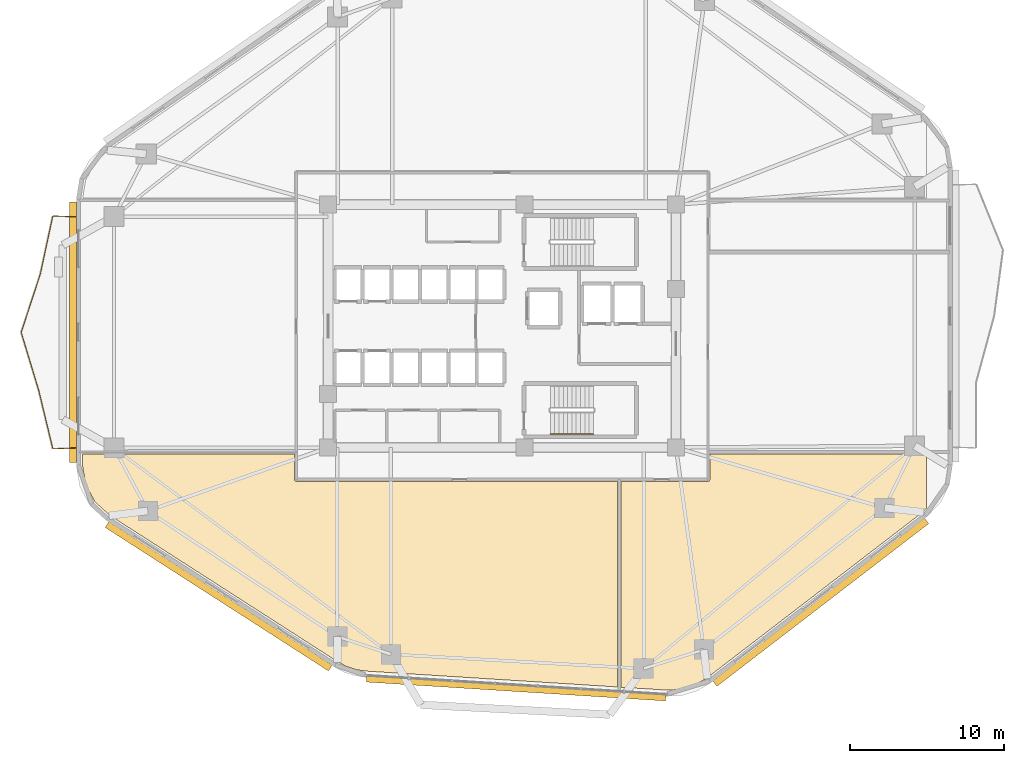
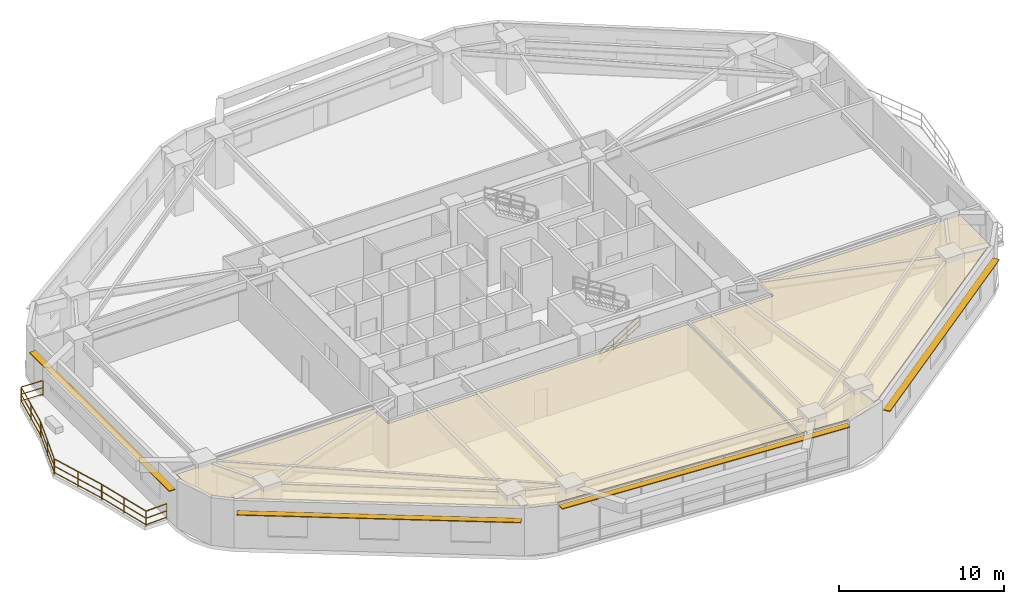
# One storey, part 11 of 13: 7 railings, 4 shading devices, 2 coverings.
"""IFC4 building model written with IfcOpenShell, lengths in metres."""

from ifc_helpers import new_model, si_unit, direction, frame, origin, origin_2d, place, context, subcontext, project, spatial, polyline, rectangle, outline, extrude, material, layer, layer_set, type_object, element, save


model = new_model("IFC4")

# Units and contexts
model_context = context("Model", 3, precision=1e-05, world=origin(), true_north=direction((0.0, 1.0)))
body_context = subcontext(model_context, "Body", "Model", "MODEL_VIEW")
ifc_project = project(units=[si_unit("LENGTHUNIT", "METRE"), si_unit("AREAUNIT", "SQUARE_METRE"), si_unit("VOLUMEUNIT", "CUBIC_METRE"), si_unit("PLANEANGLEUNIT", "RADIAN"), si_unit("MASSUNIT", "GRAM", prefix="KILO")], contexts=[model_context])

# Site, building, storey
site_placement = place(None, origin())
site = spatial("IfcSite", under=ifc_project, at=site_placement, CompositionType="ELEMENT")
building_placement = place(site_placement, origin())
building = spatial("IfcBuilding", under=site, at=building_placement, Name="Zulverin Broadcast Headquarters", CompositionType="ELEMENT")
storey_placement = place(building_placement, frame((0.0, 0.0, 70.60009765625)))
storey = spatial("IfcBuildingStorey", under=building, at=storey_placement, Name="L17", CompositionType="ELEMENT", Elevation=70.60009765625)

# Coverings
ifc_material_1 = material(Name="Perforated pale-metal acoustic baffle ceiling", Category="aluminium")
ifc_layer_1 = layer(ifc_material_1, 0.0400390625, Name="Perforated pale-metal acoustic baffle ceiling", Category="aluminium")
ifc_layer_set_1 = layer_set([ifc_layer_1], Name="Perforated pale-metal acoustic baffle ceiling")
covering_type = type_object("IfcCoveringType", Name="COV-CEIL-ACOU", PredefinedType="CEILING", material=ifc_layer_set_1)
covering_1_placement = place(storey_placement, frame((0.0, 0.0, 3.344970703125)))
element("IfcCovering", 1, at=covering_1_placement, inside=storey, type_object=covering_type, Name="L17 Acoustic Baffle Ceiling 02", PredefinedType="CEILING", context=body_context, shape_type="SweptSolid", body=[
    extrude(outline(polyline([(23.535888671875, 15.22802734375), (23.531982421875, 15.239990234375), (23.531982421875, 15.251953125), (23.531982421875, 16.89990234375), (9.800048828125, 16.89990234375), (9.800048828125, 16.179931640625), (10.01611328125, 14.904052734375), (10.615966796875, 13.800048828125), (11.572021484375, 12.927978515625), (26.347900390625, 3.43603515625), (26.931884765625, 3.1279296875), (27.5439453125, 2.924072265625), (28.19189453125, 2.83203125), (44.47998046875, 1.803955078125), (44.47998046875, 15.132080078125), (23.652099609375, 15.132080078125), (23.639892578125, 15.132080078125), (23.6279296875, 15.135986328125), (23.615966796875, 15.135986328125), (23.60791015625, 15.139892578125), (23.595947265625, 15.14794921875), (23.583984375, 15.152099609375), (23.575927734375, 15.159912109375), (23.568115234375, 15.16796875), (23.56005859375, 15.176025390625), (23.552001953125, 15.18408203125), (23.548095703125, 15.196044921875), (23.5400390625, 15.2080078125), (23.535888671875, 15.216064453125), (23.535888671875, 15.22802734375)])), origin(), (0.0, 0.0, 1.0), 0.0400390625),
])
covering_2_placement = place(storey_placement, frame((0.0, 0.0, 3.344970703125)))
element("IfcCovering", 2, at=covering_2_placement, inside=storey, type_object=covering_type, Name="L17 Acoustic Baffle Ceiling 03", PredefinedType="CEILING", context=body_context, shape_type="SweptSolid", body=[
    extrude(outline(polyline([(49.488037109375, 1.919921875), (50.2880859375, 2.39208984375), (64.2919921875, 13.152099609375), (64.5, 13.3720703125), (64.5, 16.89990234375), (50.471923828125, 16.89990234375), (50.471923828125, 15.251953125), (50.471923828125, 15.239990234375), (50.468017578125, 15.22802734375), (50.468017578125, 15.216064453125), (50.464111328125, 15.2080078125), (50.4560546875, 15.196044921875), (50.451904296875, 15.18408203125), (50.444091796875, 15.176025390625), (50.43603515625, 15.16796875), (50.427978515625, 15.159912109375), (50.419921875, 15.152099609375), (50.407958984375, 15.14794921875), (50.39599609375, 15.139892578125), (50.387939453125, 15.135986328125), (50.3759765625, 15.135986328125), (50.364013671875, 15.132080078125), (50.35205078125, 15.132080078125), (44.719970703125, 15.132080078125), (44.719970703125, 1.7880859375), (47.69189453125, 1.60009765625), (48.6240234375, 1.652099609375), (49.488037109375, 1.919921875)])), origin(), (0.0, 0.0, 1.0), 0.0400390625),
])

# Railings
ifc_material_2 = material(Name="Brushed stainless steel & laminated glass balustrade", Category="steel")
railing_type_1 = type_object("IfcRailingType", Name="RL-GUARD-1150", PredefinedType="GUARDRAIL", material=ifc_material_2)
railing_1_placement = place(storey_placement, frame((9.360107421875, 32.284423828125, 0.0)))
element("IfcRailing", 3, at=railing_1_placement, inside=storey, type_object=railing_type_1, Name="L17 Vertical-Forest Balcony Guardrail BAL_W Segment 01", PredefinedType="GUARDRAIL", context=body_context, shape_type="SweptSolid", body=[
    extrude(rectangle(XDim=0.048095703125, YDim=0.048095703125, at=origin_2d()), frame((0.0, 0.0, 1.1259765625), z_axis=(-0.999181155166, 0.040460093435, 0.0), x_axis=(-0.040460093435, -0.999181155166, 0.0)), (0.0, 0.0, 1.0), 1.46630859375),
    extrude(rectangle(XDim=0.0419921875, YDim=0.0419921875, at=origin_2d()), frame((0.0, 0.0, 0.597900390625), z_axis=(-0.999181155166, 0.040460093435, 0.0), x_axis=(-0.040460093435, -0.999181155166, 0.0)), (0.0, 0.0, 1.0), 1.46630859375),
    extrude(rectangle(XDim=0.0419921875, YDim=0.0419921875, at=origin_2d()), frame((0.0, 0.0, 0.1201171875), z_axis=(-0.999181155166, 0.040460093435, 0.0), x_axis=(-0.040460093435, -0.999181155166, 0.0)), (0.0, 0.0, 1.0), 1.46630859375),
    extrude(rectangle(XDim=0.0419921875, YDim=0.0419921875, at=origin_2d()), origin(), (0.0, 0.0, 1.0), 1.101806640625),
    extrude(rectangle(XDim=0.0419921875, YDim=0.0419921875, at=origin_2d()), frame((-1.465087890625, 0.059326171875, 0.0)), (0.0, 0.0, 1.0), 1.101806640625),
])
railing_2_placement = place(storey_placement, frame((7.876708984375, 32.32958984375, 0.0)))
element("IfcRailing", 4, at=railing_2_placement, inside=storey, type_object=railing_type_1, Name="L17 Vertical-Forest Balcony Guardrail BAL_W Segment 02", PredefinedType="GUARDRAIL", context=body_context, shape_type="SweptSolid", body=[
    extrude(rectangle(XDim=0.048095703125, YDim=0.048095703125, at=origin_2d()), frame((0.0, 0.0, 1.1259765625), z_axis=(-0.210225336411, -0.977652958841, 0.0), x_axis=(0.977652958841, -0.210225336411, 0.0)), (0.0, 0.0, 1.0), 3.831298828125),
    extrude(rectangle(XDim=0.0419921875, YDim=0.0419921875, at=origin_2d()), frame((0.0, 0.0, 0.597900390625), z_axis=(-0.210225336411, -0.977652958841, 0.0), x_axis=(0.977652958841, -0.210225336411, 0.0)), (0.0, 0.0, 1.0), 3.831298828125),
    extrude(rectangle(XDim=0.0419921875, YDim=0.0419921875, at=origin_2d()), frame((0.0, 0.0, 0.1201171875), z_axis=(-0.210225336411, -0.977652958841, 0.0), x_axis=(0.977652958841, -0.210225336411, 0.0)), (0.0, 0.0, 1.0), 3.831298828125),
    extrude(rectangle(XDim=0.0419921875, YDim=0.0419921875, at=origin_2d()), origin(), (0.0, 0.0, 1.0), 1.101806640625),
    extrude(rectangle(XDim=0.0419921875, YDim=0.0419921875, at=origin_2d()), frame((-0.40283203125, -1.872802734375, 0.0)), (0.0, 0.0, 1.0), 1.101806640625),
    extrude(rectangle(XDim=0.0419921875, YDim=0.0419921875, at=origin_2d()), frame((-0.805419921875, -3.74560546875, 0.0)), (0.0, 0.0, 1.0), 1.101806640625),
])
railing_3_placement = place(storey_placement, frame((7.063232421875, 28.554931640625, 0.0)))
element("IfcRailing", 5, at=railing_3_placement, inside=storey, type_object=railing_type_1, Name="L17 Vertical-Forest Balcony Guardrail BAL_W Segment 03", PredefinedType="GUARDRAIL", context=body_context, shape_type="SweptSolid", body=[
    extrude(rectangle(XDim=0.048095703125, YDim=0.048095703125, at=origin_2d()), frame((0.0, 0.0, 1.1259765625), z_axis=(-0.311579998623, -0.950219924259, 0.0), x_axis=(0.950219924259, -0.311579998623, 0.0)), (0.0, 0.0, 1.0), 3.94287109375),
    extrude(rectangle(XDim=0.0419921875, YDim=0.0419921875, at=origin_2d()), frame((0.0, 0.0, 0.597900390625), z_axis=(-0.311579998623, -0.950219924259, 0.0), x_axis=(0.950219924259, -0.311579998623, 0.0)), (0.0, 0.0, 1.0), 3.94287109375),
    extrude(rectangle(XDim=0.0419921875, YDim=0.0419921875, at=origin_2d()), frame((0.0, 0.0, 0.1201171875), z_axis=(-0.311579998623, -0.950219924259, 0.0), x_axis=(0.950219924259, -0.311579998623, 0.0)), (0.0, 0.0, 1.0), 3.94287109375),
    extrude(rectangle(XDim=0.0419921875, YDim=0.0419921875, at=origin_2d()), origin(), (0.0, 0.0, 1.0), 1.101806640625),
    extrude(rectangle(XDim=0.0419921875, YDim=0.0419921875, at=origin_2d()), frame((-0.6142578125, -1.873291015625, 0.0)), (0.0, 0.0, 1.0), 1.101806640625),
    extrude(rectangle(XDim=0.0419921875, YDim=0.0419921875, at=origin_2d()), frame((-1.228515625, -3.74658203125, 0.0)), (0.0, 0.0, 1.0), 1.101806640625),
])
railing_4_placement = place(storey_placement, frame((5.834228515625, 24.779541015625, 0.0)))
element("IfcRailing", 6, at=railing_4_placement, inside=storey, type_object=railing_type_1, Name="L17 Vertical-Forest Balcony Guardrail BAL_W Segment 04", PredefinedType="GUARDRAIL", context=body_context, shape_type="SweptSolid", body=[
    extrude(rectangle(XDim=0.048095703125, YDim=0.048095703125, at=origin_2d()), frame((0.0, 0.0, 1.1259765625), z_axis=(0.289378867673, -0.957214642044, 0.0), x_axis=(0.957214642044, 0.289378867673, 0.0)), (0.0, 0.0, 1.0), 3.913818359375),
    extrude(rectangle(XDim=0.0419921875, YDim=0.0419921875, at=origin_2d()), frame((0.0, 0.0, 0.597900390625), z_axis=(0.289378867673, -0.957214642044, 0.0), x_axis=(0.957214642044, 0.289378867673, 0.0)), (0.0, 0.0, 1.0), 3.913818359375),
    extrude(rectangle(XDim=0.0419921875, YDim=0.0419921875, at=origin_2d()), frame((0.0, 0.0, 0.1201171875), z_axis=(0.289378867673, -0.957214642044, 0.0), x_axis=(0.957214642044, 0.289378867673, 0.0)), (0.0, 0.0, 1.0), 3.913818359375),
    extrude(rectangle(XDim=0.0419921875, YDim=0.0419921875, at=origin_2d()), origin(), (0.0, 0.0, 1.0), 1.101806640625),
    extrude(rectangle(XDim=0.0419921875, YDim=0.0419921875, at=origin_2d()), frame((0.56640625, -1.873046875, 0.0)), (0.0, 0.0, 1.0), 1.101806640625),
    extrude(rectangle(XDim=0.0419921875, YDim=0.0419921875, at=origin_2d()), frame((1.132568359375, -3.746337890625, 0.0)), (0.0, 0.0, 1.0), 1.101806640625),
])
railing_5_placement = place(storey_placement, frame((6.974609375, 21.004150390625, 0.0)))
element("IfcRailing", 7, at=railing_5_placement, inside=storey, type_object=railing_type_1, Name="L17 Vertical-Forest Balcony Guardrail BAL_W Segment 05", PredefinedType="GUARDRAIL", context=body_context, shape_type="SweptSolid", body=[
    extrude(rectangle(XDim=0.048095703125, YDim=0.048095703125, at=origin_2d()), frame((0.0, 0.0, 1.1259765625), z_axis=(0.234072694175, -0.972219097653, 0.0), x_axis=(0.972219097653, 0.234072694175, 0.0)), (0.0, 0.0, 1.0), 3.852783203125),
    extrude(rectangle(XDim=0.0419921875, YDim=0.0419921875, at=origin_2d()), frame((0.0, 0.0, 0.597900390625), z_axis=(0.234072694175, -0.972219097653, 0.0), x_axis=(0.972219097653, 0.234072694175, 0.0)), (0.0, 0.0, 1.0), 3.852783203125),
    extrude(rectangle(XDim=0.0419921875, YDim=0.0419921875, at=origin_2d()), frame((0.0, 0.0, 0.1201171875), z_axis=(0.234072694175, -0.972219097653, 0.0), x_axis=(0.972219097653, 0.234072694175, 0.0)), (0.0, 0.0, 1.0), 3.852783203125),
    extrude(rectangle(XDim=0.0419921875, YDim=0.0419921875, at=origin_2d()), origin(), (0.0, 0.0, 1.0), 1.101806640625),
    extrude(rectangle(XDim=0.0419921875, YDim=0.0419921875, at=origin_2d()), frame((0.450927734375, -1.873046875, 0.0)), (0.0, 0.0, 1.0), 1.101806640625),
    extrude(rectangle(XDim=0.0419921875, YDim=0.0419921875, at=origin_2d()), frame((0.90185546875, -3.745849609375, 0.0)), (0.0, 0.0, 1.0), 1.101806640625),
])
railing_6_placement = place(storey_placement, frame((7.89501953125, 17.244140625, 0.0)))
element("IfcRailing", 8, at=railing_6_placement, inside=storey, type_object=railing_type_1, Name="L17 Vertical-Forest Balcony Guardrail BAL_W Segment 06", PredefinedType="GUARDRAIL", context=body_context, shape_type="SweptSolid", body=[
    extrude(rectangle(XDim=0.048095703125, YDim=0.048095703125, at=origin_2d()), frame((0.0, 0.0, 1.1259765625), z_axis=(0.999174410196, 0.040626321628, 0.0), x_axis=(-0.040626321628, 0.999174410196, 0.0)), (0.0, 0.0, 1.0), 1.46630859375),
    extrude(rectangle(XDim=0.0419921875, YDim=0.0419921875, at=origin_2d()), frame((0.0, 0.0, 0.597900390625), z_axis=(0.999174410196, 0.040626321628, 0.0), x_axis=(-0.040626321628, 0.999174410196, 0.0)), (0.0, 0.0, 1.0), 1.46630859375),
    extrude(rectangle(XDim=0.0419921875, YDim=0.0419921875, at=origin_2d()), frame((0.0, 0.0, 0.1201171875), z_axis=(0.999174410196, 0.040626321628, 0.0), x_axis=(-0.040626321628, 0.999174410196, 0.0)), (0.0, 0.0, 1.0), 1.46630859375),
    extrude(rectangle(XDim=0.0419921875, YDim=0.0419921875, at=origin_2d()), origin(), (0.0, 0.0, 1.0), 1.101806640625),
    extrude(rectangle(XDim=0.0419921875, YDim=0.0419921875, at=origin_2d()), frame((1.465087890625, 0.0595703125, 0.0)), (0.0, 0.0, 1.0), 1.101806640625),
])
ifc_material_3 = material(Name="Brushed stainless steel 48 mm handrail", Category="steel")
railing_type_2 = type_object("IfcRailingType", Name="RL-ST-HAND", PredefinedType="HANDRAIL", material=ifc_material_3)
railing_7_placement = place(storey_placement, frame((40.1298828125, 18.199951171875, 0.172607421875)))
element("IfcRailing", 9, at=railing_7_placement, inside=storey, type_object=railing_type_2, Name="L17 ST-2 stair handrail 1", PredefinedType="HANDRAIL", context=body_context, shape_type="SweptSolid", body=[
    extrude(rectangle(XDim=0.048095703125, YDim=0.048095703125, at=origin_2d()), frame((0.0, 0.0, 0.8759765625), z_axis=(0.851089632645, 0.0, 0.525020415988), x_axis=(0.0, 1.0, 0.0)), (0.0, 0.0, 1.0), 3.2900390625),
    extrude(rectangle(XDim=0.0419921875, YDim=0.0419921875, at=origin_2d()), frame((0.0, 0.0, 0.468017578125), z_axis=(0.851089632645, 0.0, 0.525020415988), x_axis=(0.0, 1.0, 0.0)), (0.0, 0.0, 1.0), 3.2900390625),
    extrude(rectangle(XDim=0.0419921875, YDim=0.0419921875, at=origin_2d()), frame((0.0, 0.0, 0.1201171875), z_axis=(0.851089632645, 0.0, 0.525020415988), x_axis=(0.0, 1.0, 0.0)), (0.0, 0.0, 1.0), 3.2900390625),
    extrude(rectangle(XDim=0.0419921875, YDim=0.0419921875, at=origin_2d()), origin(), (0.0, 0.0, 1.0), 0.851806640625),
    extrude(rectangle(XDim=0.0419921875, YDim=0.0419921875, at=origin_2d()), frame((0.933349609375, 0.0, 0.57568359375)), (0.0, 0.0, 1.0), 0.851806640625),
    extrude(rectangle(XDim=0.0419921875, YDim=0.0419921875, at=origin_2d()), frame((1.86669921875, 0.0, 1.151611328125)), (0.0, 0.0, 1.0), 0.851806640625),
    extrude(rectangle(XDim=0.0419921875, YDim=0.0419921875, at=origin_2d()), frame((2.800048828125, 0.0, 1.727294921875)), (0.0, 0.0, 1.0), 0.851806640625),
])

# Shading devices
ifc_material_4 = material(Name="Anodized pale-metal aluminium sunshade", Category="aluminium")
ifc_layer_2 = layer(ifc_material_4, 0.06005859375, Name="Anodized pale-metal aluminium sunshade", Category="aluminium")
ifc_layer_set_2 = layer_set([ifc_layer_2], Name="Anodized pale-metal aluminium sunshade")
shading_device_type = type_object("IfcShadingDeviceType", Name="SS-01_PALE_METAL_ALUMINIUM_SUNSHADE", PredefinedType="USERDEFINED", material=ifc_layer_set_2)
shading_device_1_placement = place(storey_placement, frame((37.91650390625, 1.735595703125, 3.294921875), z_axis=(0.0, 0.0, 1.0), x_axis=(0.998017182581, -0.062942062821, 0.0)))
element("IfcShadingDevice", 10, at=shading_device_1_placement, inside=storey, type_object=shading_device_type, Name="L17 Pale-Metal Horizontal Sunshade Band CW-L17-E1", ObjectType="SUNSHADE", PredefinedType="USERDEFINED", context=body_context, shape_type="SweptSolid", body=[
    extrude(rectangle(XDim=19.43701171875, YDim=0.449951171875, at=origin_2d()), origin(), (0.0, 0.0, 1.0), 0.06005859375),
])
shading_device_2_placement = place(storey_placement, frame((57.658447265625, 7.29833984375, 2.7099609375), z_axis=(0.0, 0.0, 1.0), x_axis=(0.792933468586, 0.609308226102, 0.0)))
element("IfcShadingDevice", 11, at=shading_device_2_placement, inside=storey, type_object=shading_device_type, Name="L17 Horizontal Pale-Metal Sunshade Band 2", ObjectType="SUNSHADE", PredefinedType="USERDEFINED", context=body_context, shape_type="SweptSolid", body=[
    extrude(rectangle(XDim=17.312744140625, YDim=0.449951171875, at=origin_2d()), origin(), (0.0, 0.0, 1.0), 0.06005859375),
])
shading_device_3_placement = place(storey_placement, frame((9.199951171875, 24.7939453125, 2.7099609375), z_axis=(0.0, 0.0, 1.0), x_axis=(0.0, -1.0, 0.0)))
element("IfcShadingDevice", 12, at=shading_device_3_placement, inside=storey, type_object=shading_device_type, Name="L17 Horizontal Pale-Metal Sunshade Band 7", ObjectType="SUNSHADE", PredefinedType="USERDEFINED", context=body_context, shape_type="SweptSolid", body=[
    extrude(rectangle(XDim=16.90087890625, YDim=0.449951171875, at=origin_2d()), origin(), (0.0, 0.0, 1.0), 0.06005859375),
])
shading_device_4_placement = place(storey_placement, frame((18.6298828125, 7.681640625, 2.7099609375), z_axis=(0.0, 0.0, 1.0), x_axis=(0.841296678234, -0.540573676007, 0.0)))
element("IfcShadingDevice", 13, at=shading_device_4_placement, inside=storey, type_object=shading_device_type, Name="L17 Horizontal Pale-Metal Sunshade Band 8", ObjectType="SUNSHADE", PredefinedType="USERDEFINED", context=body_context, shape_type="SweptSolid", body=[
    extrude(rectangle(XDim=17.2119140625, YDim=0.449951171875, at=origin_2d()), origin(), (0.0, 0.0, 1.0), 0.06005859375),
])

save(model, "model.ifc")
